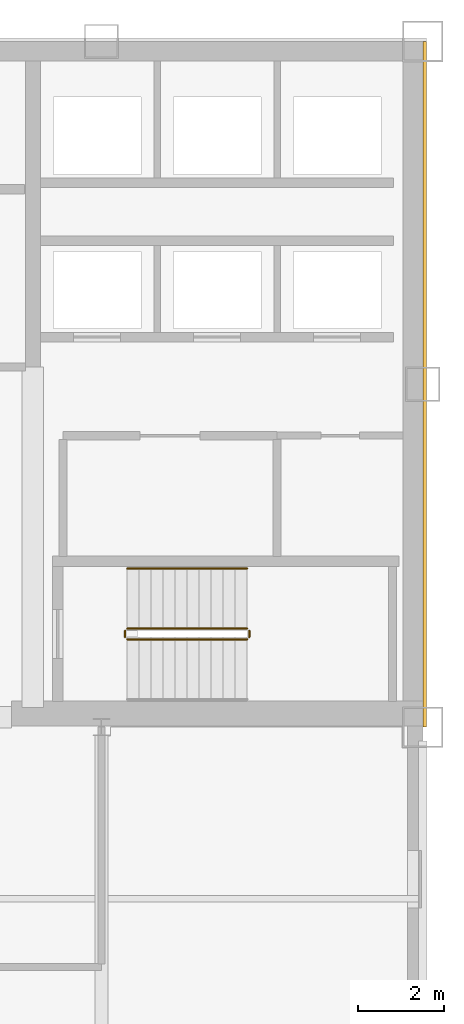
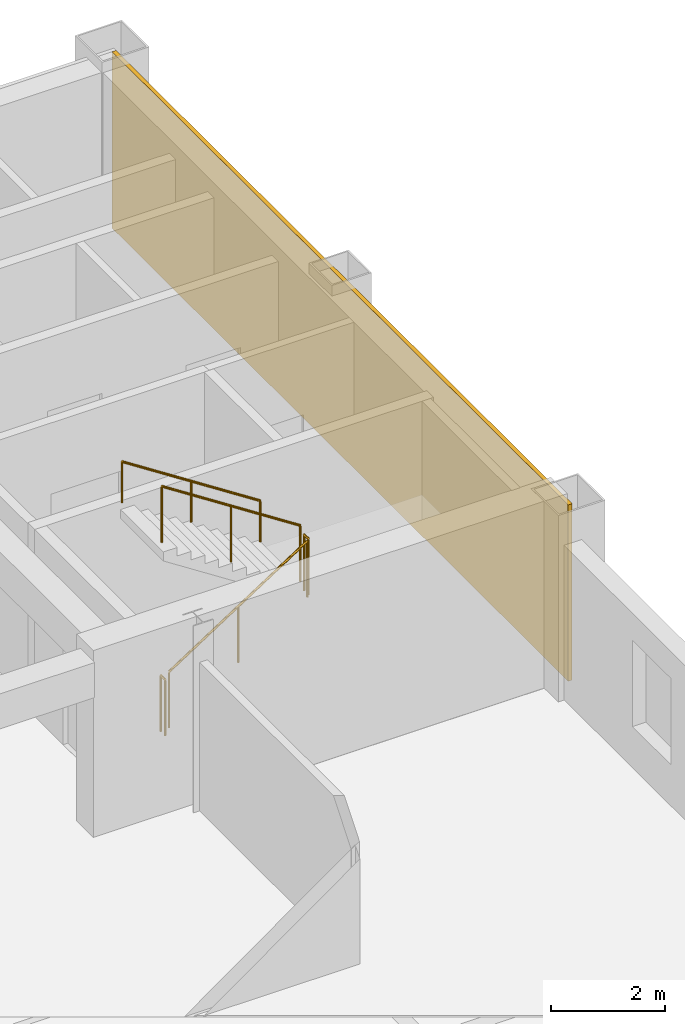
# One storey, part 8 of 10: 5 railings, 1 covering.
"""IFC4 building model written with IfcOpenShell, lengths in metres."""

from ifc_helpers import new_model, si_unit, direction, frame, origin, origin_2d, place, context, subcontext, project, spatial, rectangle, circle, extrude, material, layer, layer_set, type_object, element, save


model = new_model("IFC4")

# Units and contexts
model_context = context("Model", 3, precision=1e-05, world=origin(), true_north=direction((0.0, 1.0)))
body_context = subcontext(model_context, "Body", "Model", "MODEL_VIEW")
ifc_project = project(units=[si_unit("LENGTHUNIT", "METRE"), si_unit("AREAUNIT", "SQUARE_METRE"), si_unit("VOLUMEUNIT", "CUBIC_METRE"), si_unit("PLANEANGLEUNIT", "RADIAN"), si_unit("MASSUNIT", "GRAM", prefix="KILO")], contexts=[model_context])

# Site, building, storey
site_placement = place(None, origin())
site = spatial("IfcSite", under=ifc_project, at=site_placement, CompositionType="ELEMENT")
building_placement = place(site_placement, origin())
building = spatial("IfcBuilding", under=site, at=building_placement, Name="Qianrong Seaharbour Tower", CompositionType="ELEMENT")
storey_placement = place(building_placement, frame((0.0, 0.0, 229.800048828125)))
storey = spatial("IfcBuildingStorey", under=building, at=storey_placement, Name="L55", CompositionType="ELEMENT", Elevation=229.800048828125)

# Covering
ifc_material_1 = material(Name="Unitised red brick cladding on Precast concrete C45/55", Category="masonry")
ifc_layer = layer(ifc_material_1, 0.080078125)
ifc_layer_set = layer_set([ifc_layer], Name="Unitised red brick cladding on Precast concrete C45/55")
covering_type = type_object("IfcCoveringType", Name="COV-CLAD-RED-BRICK-80", PredefinedType="CLADDING", material=ifc_layer_set)
covering_placement = place(storey_placement, frame((64.0400390625, 44.0, 0.0), z_axis=(0.0, 0.0, 1.0), x_axis=(1.0, 0.0, 0.0)))
element("IfcCovering", 1, at=covering_placement, inside=storey, type_object=covering_type, Name="L55 East Core Brick Veneer Cladding", PredefinedType="CLADDING", context=body_context, shape_type="SweptSolid", body=[
    extrude(rectangle(XDim=0.080078125, YDim=16.0, at=origin_2d()), origin(), (0.0, 0.0, 1.0), 3.77490234375),
])

# Railings
ifc_material_2 = material(Name="Galvanized painted steel SN400B stair guard", Category="steel")
railing_type_1 = type_object("IfcRailingType", Name="RAIL-STAIR-GUARD-1220", PredefinedType="GUARDRAIL", material=ifc_material_2)
railing_1_placement = place(storey_placement, frame((57.10009765625, 38.050048828125, 0.181884765625)))
element("IfcRailing", 2, at=railing_1_placement, inside=storey, type_object=railing_type_1, Name="L55 ST-2 stair guard 1", PredefinedType="GUARDRAIL", context=body_context, shape_type="SweptSolid", body=[
    extrude(circle(Radius=0.02392578125, at=origin_2d()), frame((0.0, 0.0, 1.19580078125), z_axis=(0.83868413941, 0.0, 0.544618136222), x_axis=(0.0, 1.0, 0.0)), (0.0, 0.0, 1.0), 3.33837890625),
    extrude(circle(Radius=0.02099609375, at=origin_2d()), origin(), (0.0, 0.0, 1.0), 1.171875),
    extrude(circle(Radius=0.02099609375, at=origin_2d()), frame((1.39990234375, 0.0, 0.9091796875)), (0.0, 0.0, 1.0), 1.171875),
    extrude(circle(Radius=0.02099609375, at=origin_2d()), frame((2.7998046875, 0.0, 1.818115234375)), (0.0, 0.0, 1.0), 1.171875),
])
railing_2_placement = place(storey_placement, frame((59.949951171875, 38.10009765625, 2.0)))
element("IfcRailing", 3, at=railing_2_placement, inside=storey, type_object=railing_type_1, Name="L55 ST-2 stair guard 2", PredefinedType="GUARDRAIL", context=body_context, shape_type="SweptSolid", body=[
    extrude(circle(Radius=0.02392578125, at=origin_2d()), frame((0.0, 0.0, 1.19580078125), z_axis=(0.0, 1.0, 0.0), x_axis=(-1.0, 0.0, 0.0)), (0.0, 0.0, 1.0), 0.14990234375),
    extrude(circle(Radius=0.02099609375, at=origin_2d()), origin(), (0.0, 0.0, 1.0), 1.171875),
    extrude(circle(Radius=0.02099609375, at=origin_2d()), frame((0.0, 0.14990234375, 0.0)), (0.0, 0.0, 1.0), 1.171875),
])
railing_3_placement = place(storey_placement, frame((59.89990234375, 38.300048828125, 2.181884765625)))
element("IfcRailing", 4, at=railing_3_placement, inside=storey, type_object=railing_type_1, Name="L55 ST-2 stair guard 3", PredefinedType="GUARDRAIL", context=body_context, shape_type="SweptSolid", body=[
    extrude(circle(Radius=0.02392578125, at=origin_2d()), frame((0.0, 0.0, 1.19580078125), z_axis=(-0.83868413941, 0.0, 0.544618136222), x_axis=(0.0, -1.0, 0.0)), (0.0, 0.0, 1.0), 3.33837890625),
    extrude(circle(Radius=0.02099609375, at=origin_2d()), origin(), (0.0, 0.0, 1.0), 1.171875),
    extrude(circle(Radius=0.02099609375, at=origin_2d()), frame((-1.39990234375, 0.0, 0.9091796875)), (0.0, 0.0, 1.0), 1.171875),
    extrude(circle(Radius=0.02099609375, at=origin_2d()), frame((-2.7998046875, 0.0, 1.818115234375)), (0.0, 0.0, 1.0), 1.171875),
])
railing_4_placement = place(storey_placement, frame((57.050048828125, 38.10009765625, 0.0)))
element("IfcRailing", 5, at=railing_4_placement, inside=storey, type_object=railing_type_1, Name="L55 ST-2 stair guard 4", PredefinedType="GUARDRAIL", context=body_context, shape_type="SweptSolid", body=[
    extrude(circle(Radius=0.02392578125, at=origin_2d()), frame((0.0, 0.0, 1.19580078125), z_axis=(0.0, 1.0, 0.0), x_axis=(-1.0, 0.0, 0.0)), (0.0, 0.0, 1.0), 0.14990234375),
    extrude(circle(Radius=0.02099609375, at=origin_2d()), origin(), (0.0, 0.0, 1.0), 1.171875),
    extrude(circle(Radius=0.02099609375, at=origin_2d()), frame((0.0, 0.14990234375, 0.0)), (0.0, 0.0, 1.0), 1.171875),
])
ifc_material_3 = material(Name="Stainless steel SUS316L continuous handrail", Category="steel")
railing_type_2 = type_object("IfcRailingType", Name="RAIL-STAIR-HANDRAIL-900", PredefinedType="HANDRAIL", material=ifc_material_3)
railing_5_placement = place(storey_placement, frame((59.89990234375, 39.699951171875, 2.181884765625)))
element("IfcRailing", 6, at=railing_5_placement, inside=storey, type_object=railing_type_2, Name="L55 ST-2 stair handrail 2", PredefinedType="HANDRAIL", context=body_context, shape_type="SweptSolid", body=[
    extrude(circle(Radius=0.02392578125, at=origin_2d()), frame((0.0, 0.0, 0.8759765625), z_axis=(-0.83868413941, 0.0, 0.544618136222), x_axis=(0.0, -1.0, 0.0)), (0.0, 0.0, 1.0), 3.33837890625),
    extrude(circle(Radius=0.02099609375, at=origin_2d()), origin(), (0.0, 0.0, 1.0), 0.851806640625),
    extrude(circle(Radius=0.02099609375, at=origin_2d()), frame((-1.39990234375, 0.0, 0.9091796875)), (0.0, 0.0, 1.0), 0.851806640625),
    extrude(circle(Radius=0.02099609375, at=origin_2d()), frame((-2.7998046875, 0.0, 1.818115234375)), (0.0, 0.0, 1.0), 0.851806640625),
])

save(model, "model.ifc")
